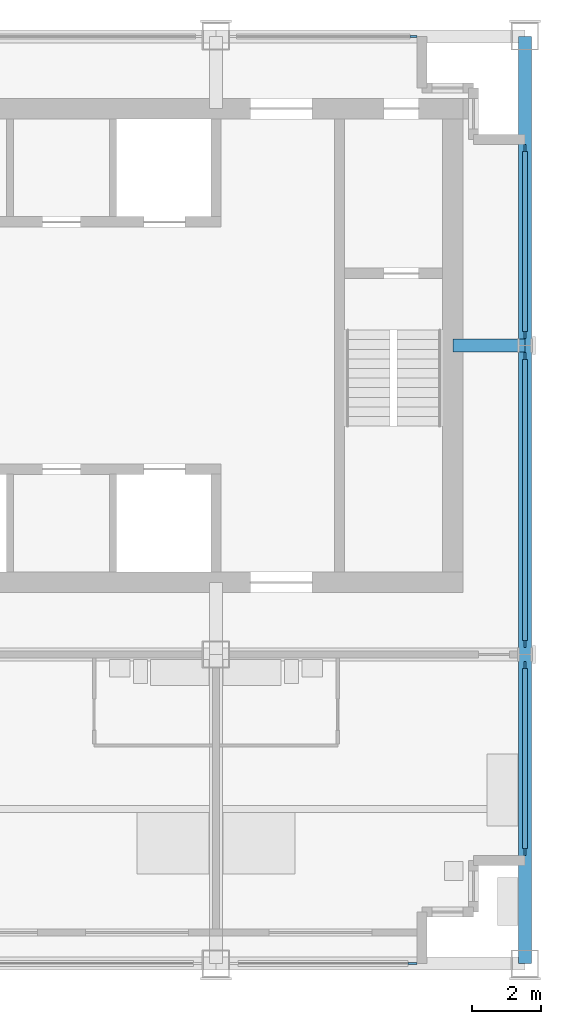
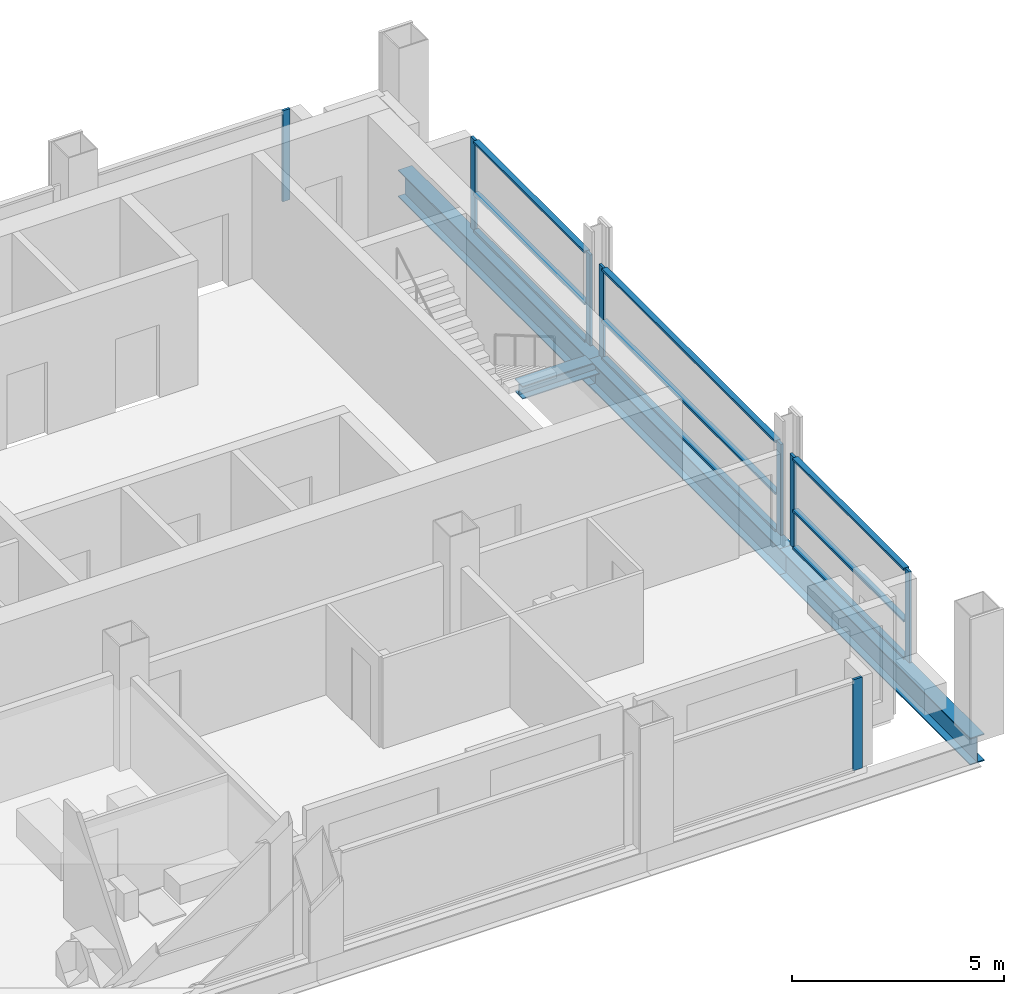
# One storey, part 4 of 11: 18 members, 3 beams, 5 elements without a shape of their own.
"""IFC4 building model written with IfcOpenShell, lengths in metres."""

from ifc_helpers import new_model, si_unit, direction, frame, origin, origin_2d, place, context, subcontext, project, spatial, rectangle, i_section, extrude, material, material_profile, profile_set, type_object, element, aggregate, save


model = new_model("IFC4")

# Units and contexts
model_context = context("Model", 3, precision=1e-05, world=origin(), true_north=direction((0.0, 1.0)))
body_context = subcontext(model_context, "Body", "Model", "MODEL_VIEW")
ifc_project = project(units=[si_unit("LENGTHUNIT", "METRE"), si_unit("AREAUNIT", "SQUARE_METRE"), si_unit("VOLUMEUNIT", "CUBIC_METRE"), si_unit("PLANEANGLEUNIT", "RADIAN"), si_unit("MASSUNIT", "GRAM", prefix="KILO")], contexts=[model_context])

# Site, building, storey
site_placement = place(None, origin())
site = spatial("IfcSite", under=ifc_project, at=site_placement, CompositionType="ELEMENT")
building_placement = place(site_placement, origin())
building = spatial("IfcBuilding", under=site, at=building_placement, Name="Loomwork Tower", CompositionType="ELEMENT")
storey_placement = place(building_placement, frame((0.0, 0.0, 248.199951171875)))
storey = spatial("IfcBuildingStorey", under=building, at=storey_placement, Name="L68", CompositionType="ELEMENT", Elevation=248.199951171875)

# Member
ifc_material_1 = material(Name="Steel ASTM A992", Category="steel")
ifc_material_profile_1 = material_profile(ifc_material_1, i_section(OverallWidth=0.373291015625, OverallDepth=0.373291015625, WebThickness=0.016357421875, FlangeThickness=0.026123046875, at=origin_2d()), Name="W14x132")
ifc_profile_set_1 = profile_set([ifc_material_profile_1], Name="Steel ASTM A992")
member_type_1 = type_object("IfcMemberType", Name="CORE LINK STRUT W14x132", PredefinedType="STRUT", material=ifc_profile_set_1)
member_1_placement = place(storey_placement, frame((36.0, 18.0, -0.38671875), z_axis=(-1.0, 0.0, 0.0), x_axis=(0.0, -1.0, 0.0)))
element("IfcMember", 1, at=member_1_placement, inside=storey, type_object=member_type_1, Name="Core link strut F/6-33.900,18.000 L68", PredefinedType="STRUT", context=body_context, shape_type="SweptSolid", body=[
    extrude(i_section(OverallWidth=0.373291015625, OverallDepth=0.373291015625, WebThickness=0.016357421875, FlangeThickness=0.026123046875, at=origin_2d()), origin(), (0.0, 0.0, 1.0), 2.10009765625),
])

# Curtain wall, member
ifc_material_2 = material(Name="Aluminium curtain wall frame", Category="aluminium")
curtain_wall_type_1 = type_object("IfcCurtainWallType", Name="Outer skin glazing suites", PredefinedType="NOTDEFINED", material=ifc_material_2)
curtain_wall_1_placement = place(storey_placement, origin())
curtain_wall_1 = element("IfcCurtainWall", 2, at=curtain_wall_1_placement, inside=storey, type_object=curtain_wall_type_1, Name="Outer skin glazing suites cw/S-27", PredefinedType="NOTDEFINED")
ifc_material_3 = material(Name="Aluminium curtain wall frame", Category="aluminium")
ifc_material_profile_2 = material_profile(ifc_material_3, rectangle(XDim=0.06494140625, YDim=0.25, at=origin_2d()), Name="AL 65x250")
ifc_profile_set_2 = profile_set([ifc_material_profile_2], Name="Aluminium curtain wall frame")
member_type_2 = type_object("IfcMemberType", Name="Outer skin glazing suites mullion", PredefinedType="MULLION", material=ifc_profile_set_2)
member_2_placement = place(storey_placement, frame((32.72509765625, 0.0, 0.0), z_axis=(0.0, 0.0, 1.0), x_axis=(0.0, 1.0, 0.0)))
member_2 = element("IfcMember", 3, at=member_2_placement, type_object=member_type_2, Name="CW2 mullion 2", PredefinedType="MULLION", context=body_context, shape_type="SweptSolid", body=[
    extrude(rectangle(XDim=0.06494140625, YDim=0.25, at=origin_2d()), origin(), (0.0, 0.0, 1.0), 2.620361328125),
])
aggregate(curtain_wall_1, [member_2])

# Beams
ifc_material_4 = material(Name="Steel ASTM A992", Category="steel")
ifc_material_profile_3 = material_profile(ifc_material_4, i_section(OverallWidth=0.381103515625, OverallDepth=0.77978515625, WebThickness=0.01806640625, FlangeThickness=0.0302734375, at=origin_2d()), Name="W30x191")
ifc_profile_set_3 = profile_set([ifc_material_profile_3], Name="Steel ASTM A992")
beam_type = type_object("IfcBeamType", Name="SPANDREL GIRDER W30x191", PredefinedType="SPANDREL", material=ifc_profile_set_3)
for number, where, z_axis, x_axis, name in (
    (4, (36.0, 0.0, -0.58984375), (0.0, 1.0, 0.0), (-1.0, 0.0, 0.0), "Spandrel Girder D/6-E/6 L68"),
    (5, (36.0, 9.0, -0.58984375), (0.0, 1.0, 0.0), (-1.0, 0.0, 0.0), "Spandrel Girder E/6-F/6 L68"),
    (6, (36.0, 18.0, -0.58984375), (0.0, 1.0, 0.0), (-1.0, 0.0, 0.0), "Spandrel Girder F/6-G/6 L68"),
):
    element("IfcBeam", number, at=place(storey_placement, frame(where, z_axis=z_axis, x_axis=x_axis)), inside=storey, type_object=beam_type, Name=name, PredefinedType="SPANDREL", context=body_context, shape_type="SweptSolid", body=[
        extrude(i_section(OverallWidth=0.381103515625, OverallDepth=0.77978515625, WebThickness=0.01806640625, FlangeThickness=0.0302734375, at=origin_2d()), origin(), (0.0, 0.0, 1.0), 9.0),
    ])

# Curtain wall, member
ifc_material_5 = material(Name="Aluminium curtain wall frame", Category="aluminium")
curtain_wall_type_2 = type_object("IfcCurtainWallType", Name="Single skin glazing corridor", PredefinedType="NOTDEFINED", material=ifc_material_5)
curtain_wall_2_placement = place(storey_placement, origin())
curtain_wall_2 = element("IfcCurtainWall", 7, at=curtain_wall_2_placement, inside=storey, type_object=curtain_wall_type_2, Name="Single skin glazing corridor cw/N-27", PredefinedType="NOTDEFINED")
ifc_material_6 = material(Name="Aluminium curtain wall frame", Category="aluminium")
ifc_material_profile_4 = material_profile(ifc_material_6, rectangle(XDim=0.06494140625, YDim=0.199951171875, at=origin_2d()), Name="AL 65x200")
ifc_profile_set_4 = profile_set([ifc_material_profile_4], Name="Aluminium curtain wall frame")
member_type_3 = type_object("IfcMemberType", Name="Single skin glazing corridor mullion", PredefinedType="MULLION", material=ifc_profile_set_4)
member_3_placement = place(storey_placement, frame((32.75, 27.0, 0.0), z_axis=(0.0, 0.0, 1.0), x_axis=(0.0, -1.0, 0.0)))
member_3 = element("IfcMember", 8, at=member_3_placement, type_object=member_type_3, Name="CW3 mullion 1", PredefinedType="MULLION", context=body_context, shape_type="SweptSolid", body=[
    extrude(rectangle(XDim=0.06494140625, YDim=0.199951171875, at=origin_2d()), origin(), (0.0, 0.0, 1.0), 2.620361328125),
])
aggregate(curtain_wall_2, [member_3])

# Curtain wall, members
curtain_wall_3_placement = place(storey_placement, origin())
curtain_wall_3 = element("IfcCurtainWall", 9, at=curtain_wall_3_placement, inside=storey, type_object=curtain_wall_type_2, Name="Single skin glazing corridor cw/E-0", PredefinedType="NOTDEFINED")
member_4_placement = place(storey_placement, frame((36.0, 3.25, 0.0), z_axis=(0.0, 0.0, 1.0), x_axis=(-1.0, 0.0, 0.0)))
member_4 = element("IfcMember", 10, at=member_4_placement, type_object=member_type_3, Name="CW3 mullion 1", PredefinedType="MULLION", context=body_context, shape_type="SweptSolid", body=[
    extrude(rectangle(XDim=0.06494140625, YDim=0.199951171875, at=origin_2d()), origin(), (0.0, 0.0, 1.0), 2.620361328125),
])
member_5_placement = place(storey_placement, frame((36.0, 8.691650390625, 0.0), z_axis=(0.0, 0.0, 1.0), x_axis=(-1.0, 0.0, 0.0)))
member_5 = element("IfcMember", 11, at=member_5_placement, type_object=member_type_3, Name="CW3 mullion 2", PredefinedType="MULLION", context=body_context, shape_type="SweptSolid", body=[
    extrude(rectangle(XDim=0.06494140625, YDim=0.199951171875, at=origin_2d()), origin(), (0.0, 0.0, 1.0), 2.620361328125),
])

curtain_wall_4_placement = place(storey_placement, origin())
curtain_wall_4 = element("IfcCurtainWall", 12, at=curtain_wall_4_placement, inside=storey, type_object=curtain_wall_type_2, Name="Single skin glazing corridor cw/E-9", PredefinedType="NOTDEFINED")
member_6_placement = place(storey_placement, frame((36.0, 9.308349609375, 0.0), z_axis=(0.0, 0.0, 1.0), x_axis=(-1.0, 0.0, 0.0)))
member_6 = element("IfcMember", 13, at=member_6_placement, type_object=member_type_3, Name="CW3 mullion 1", PredefinedType="MULLION", context=body_context, shape_type="SweptSolid", body=[
    extrude(rectangle(XDim=0.06494140625, YDim=0.199951171875, at=origin_2d()), origin(), (0.0, 0.0, 1.0), 2.620361328125),
])
member_7_placement = place(storey_placement, frame((36.0, 17.691650390625, 0.0), z_axis=(0.0, 0.0, 1.0), x_axis=(-1.0, 0.0, 0.0)))
member_7 = element("IfcMember", 14, at=member_7_placement, type_object=member_type_3, Name="CW3 mullion 2", PredefinedType="MULLION", context=body_context, shape_type="SweptSolid", body=[
    extrude(rectangle(XDim=0.06494140625, YDim=0.199951171875, at=origin_2d()), origin(), (0.0, 0.0, 1.0), 2.620361328125),
])

curtain_wall_5_placement = place(storey_placement, origin())
curtain_wall_5 = element("IfcCurtainWall", 15, at=curtain_wall_5_placement, inside=storey, type_object=curtain_wall_type_2, Name="Single skin glazing corridor cw/E-18", PredefinedType="NOTDEFINED")
member_8_placement = place(storey_placement, frame((36.0, 18.308349609375, 0.0), z_axis=(0.0, 0.0, 1.0), x_axis=(-1.0, 0.0, 0.0)))
member_8 = element("IfcMember", 16, at=member_8_placement, type_object=member_type_3, Name="CW3 mullion 1", PredefinedType="MULLION", context=body_context, shape_type="SweptSolid", body=[
    extrude(rectangle(XDim=0.06494140625, YDim=0.199951171875, at=origin_2d()), origin(), (0.0, 0.0, 1.0), 2.620361328125),
])
member_9_placement = place(storey_placement, frame((36.0, 23.75, 0.0), z_axis=(0.0, 0.0, 1.0), x_axis=(-1.0, 0.0, 0.0)))
member_9 = element("IfcMember", 17, at=member_9_placement, type_object=member_type_3, Name="CW3 mullion 2", PredefinedType="MULLION", context=body_context, shape_type="SweptSolid", body=[
    extrude(rectangle(XDim=0.06494140625, YDim=0.199951171875, at=origin_2d()), origin(), (0.0, 0.0, 1.0), 2.620361328125),
])

# Member
ifc_material_7 = material(Name="Aluminium curtain wall frame", Category="aluminium")
ifc_material_profile_5 = material_profile(ifc_material_7, rectangle(XDim=0.14990234375, YDim=0.06494140625, at=origin_2d()), Name="AL 65x150")
ifc_profile_set_5 = profile_set([ifc_material_profile_5], Name="Aluminium curtain wall frame")
member_type_4 = type_object("IfcMemberType", Name="Single skin glazing corridor transom", PredefinedType="USERDEFINED", material=ifc_profile_set_5)
member_10_placement = place(storey_placement, frame((36.0, 3.35009765625, 0.032470703125), z_axis=(0.0, 1.0, 0.0), x_axis=(-1.0, 0.0, 0.0)))
member_10 = element("IfcMember", 18, at=member_10_placement, type_object=member_type_4, Name="CW3 transom 1.1", ObjectType="TRANSOM", PredefinedType="USERDEFINED", context=body_context, shape_type="SweptSolid", body=[
    extrude(rectangle(XDim=0.14990234375, YDim=0.06494140625, at=origin_2d()), origin(), (0.0, 0.0, 1.0), 5.24169921875),
])

member_11_placement = place(storey_placement, frame((36.0, 3.35009765625, 1.10009765625), z_axis=(0.0, 1.0, 0.0), x_axis=(-1.0, 0.0, 0.0)))
member_11 = element("IfcMember", 19, at=member_11_placement, type_object=member_type_4, Name="CW3 transom 1.2", ObjectType="TRANSOM", PredefinedType="USERDEFINED", context=body_context, shape_type="SweptSolid", body=[
    extrude(rectangle(XDim=0.14990234375, YDim=0.06494140625, at=origin_2d()), origin(), (0.0, 0.0, 1.0), 5.24169921875),
])

member_12_placement = place(storey_placement, frame((36.0, 3.35009765625, 2.587646484375), z_axis=(0.0, 1.0, 0.0), x_axis=(-1.0, 0.0, 0.0)))
member_12 = element("IfcMember", 20, at=member_12_placement, type_object=member_type_4, Name="CW3 transom 1.3", ObjectType="TRANSOM", PredefinedType="USERDEFINED", context=body_context, shape_type="SweptSolid", body=[
    extrude(rectangle(XDim=0.14990234375, YDim=0.06494140625, at=origin_2d()), origin(), (0.0, 0.0, 1.0), 5.24169921875),
])

aggregate(curtain_wall_3, [member_4, member_5, member_10, member_11, member_12])

member_13_placement = place(storey_placement, frame((36.0, 9.408203125, 0.032470703125), z_axis=(0.0, 1.0, 0.0), x_axis=(-1.0, 0.0, 0.0)))
member_13 = element("IfcMember", 21, at=member_13_placement, type_object=member_type_4, Name="CW3 transom 1.1", ObjectType="TRANSOM", PredefinedType="USERDEFINED", context=body_context, shape_type="SweptSolid", body=[
    extrude(rectangle(XDim=0.14990234375, YDim=0.06494140625, at=origin_2d()), origin(), (0.0, 0.0, 1.0), 8.18359375),
])

member_14_placement = place(storey_placement, frame((36.0, 9.408203125, 1.10009765625), z_axis=(0.0, 1.0, 0.0), x_axis=(-1.0, 0.0, 0.0)))
member_14 = element("IfcMember", 22, at=member_14_placement, type_object=member_type_4, Name="CW3 transom 1.2", ObjectType="TRANSOM", PredefinedType="USERDEFINED", context=body_context, shape_type="SweptSolid", body=[
    extrude(rectangle(XDim=0.14990234375, YDim=0.06494140625, at=origin_2d()), origin(), (0.0, 0.0, 1.0), 8.18359375),
])

member_15_placement = place(storey_placement, frame((36.0, 9.408203125, 2.587646484375), z_axis=(0.0, 1.0, 0.0), x_axis=(-1.0, 0.0, 0.0)))
member_15 = element("IfcMember", 23, at=member_15_placement, type_object=member_type_4, Name="CW3 transom 1.3", ObjectType="TRANSOM", PredefinedType="USERDEFINED", context=body_context, shape_type="SweptSolid", body=[
    extrude(rectangle(XDim=0.14990234375, YDim=0.06494140625, at=origin_2d()), origin(), (0.0, 0.0, 1.0), 8.18359375),
])

aggregate(curtain_wall_4, [member_6, member_7, member_13, member_14, member_15])

member_16_placement = place(storey_placement, frame((36.0, 18.408203125, 0.032470703125), z_axis=(0.0, 1.0, 0.0), x_axis=(-1.0, 0.0, 0.0)))
member_16 = element("IfcMember", 24, at=member_16_placement, type_object=member_type_4, Name="CW3 transom 1.1", ObjectType="TRANSOM", PredefinedType="USERDEFINED", context=body_context, shape_type="SweptSolid", body=[
    extrude(rectangle(XDim=0.14990234375, YDim=0.06494140625, at=origin_2d()), origin(), (0.0, 0.0, 1.0), 5.24169921875),
])

member_17_placement = place(storey_placement, frame((36.0, 18.408203125, 1.10009765625), z_axis=(0.0, 1.0, 0.0), x_axis=(-1.0, 0.0, 0.0)))
member_17 = element("IfcMember", 25, at=member_17_placement, type_object=member_type_4, Name="CW3 transom 1.2", ObjectType="TRANSOM", PredefinedType="USERDEFINED", context=body_context, shape_type="SweptSolid", body=[
    extrude(rectangle(XDim=0.14990234375, YDim=0.06494140625, at=origin_2d()), origin(), (0.0, 0.0, 1.0), 5.24169921875),
])

member_18_placement = place(storey_placement, frame((36.0, 18.408203125, 2.587646484375), z_axis=(0.0, 1.0, 0.0), x_axis=(-1.0, 0.0, 0.0)))
member_18 = element("IfcMember", 26, at=member_18_placement, type_object=member_type_4, Name="CW3 transom 1.3", ObjectType="TRANSOM", PredefinedType="USERDEFINED", context=body_context, shape_type="SweptSolid", body=[
    extrude(rectangle(XDim=0.14990234375, YDim=0.06494140625, at=origin_2d()), origin(), (0.0, 0.0, 1.0), 5.24169921875),
])

aggregate(curtain_wall_5, [member_8, member_9, member_16, member_17, member_18])

save(model, "model.ifc")
